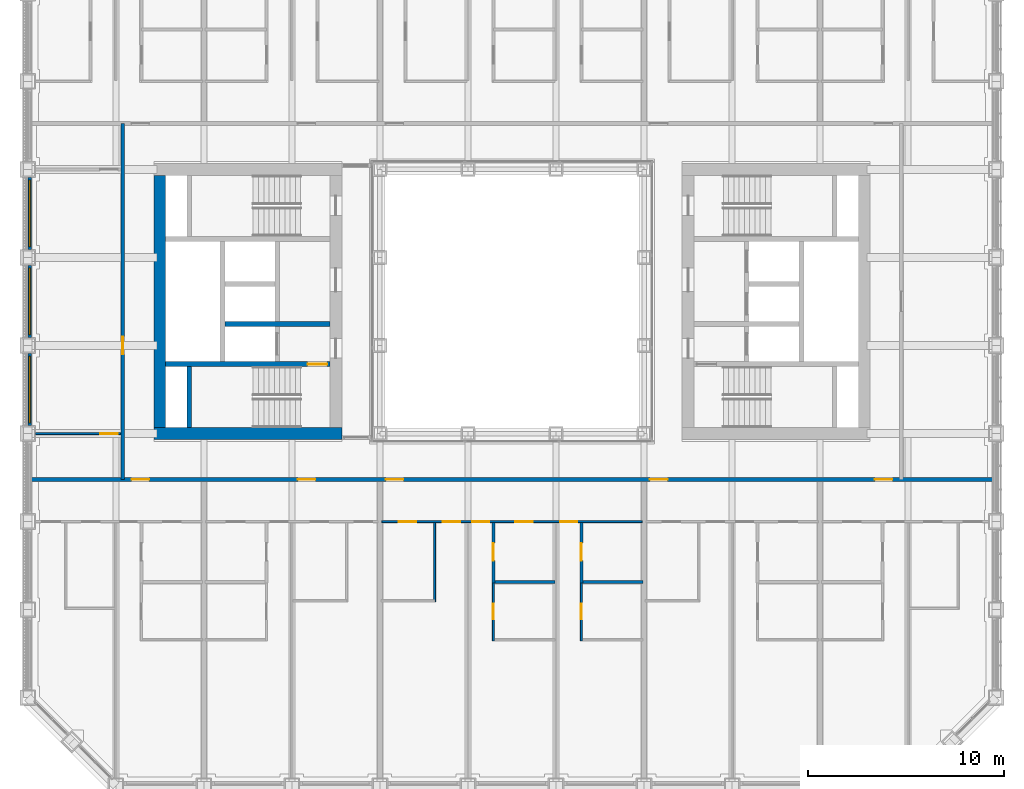
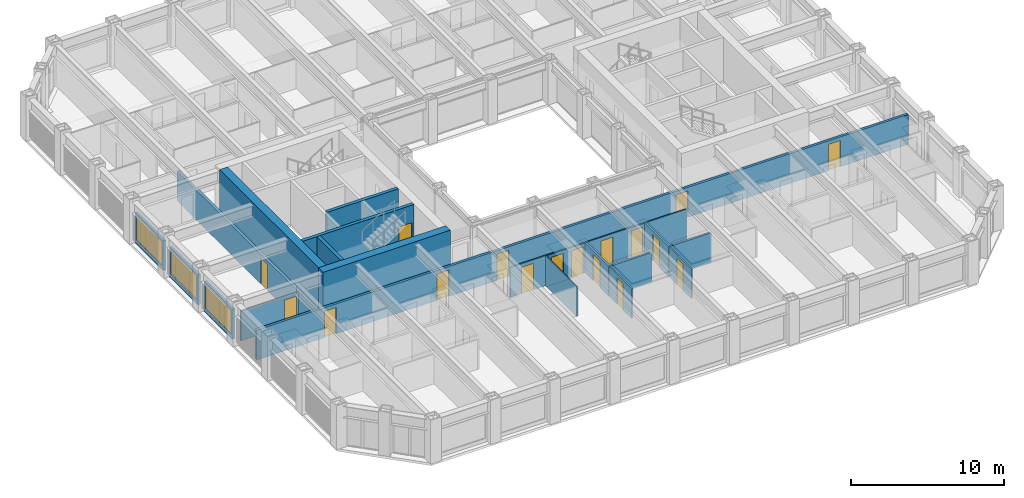
# One storey, part 10 of 21: 19 walls, 17 doors, 3 windows, 20 openings.
"""IFC4 building model written with IfcOpenShell, lengths in metres."""

from ifc_helpers import new_model, si_unit, direction, frame, frame_2d, origin, place, context, subcontext, project, spatial, rectangle, extrude, material, layer, layer_set, type_object, element, fill, save


model = new_model("IFC4")

# Units and contexts
model_context = context("Model", 3, precision=1e-05, world=origin(), true_north=direction((0.0, 1.0)))
body_context = subcontext(model_context, "Body", "Model", "MODEL_VIEW")
ifc_project = project(units=[si_unit("LENGTHUNIT", "METRE"), si_unit("AREAUNIT", "SQUARE_METRE"), si_unit("VOLUMEUNIT", "CUBIC_METRE"), si_unit("PLANEANGLEUNIT", "RADIAN"), si_unit("MASSUNIT", "GRAM", prefix="KILO")], contexts=[model_context])

# Site, building, storey
site_placement = place(None, origin())
site = spatial("IfcSite", under=ifc_project, at=site_placement, CompositionType="ELEMENT")
building_placement = place(site_placement, origin())
building = spatial("IfcBuilding", under=site, at=building_placement, Name="Msasa Ring Tower", CompositionType="ELEMENT")
storey_placement = place(building_placement, frame((0.0, 0.0, 47.5)))
storey = spatial("IfcBuildingStorey", under=building, at=storey_placement, Name="L11", CompositionType="ELEMENT", Elevation=47.5)

# Walls
ifc_material_1 = material(Name="Concrete C60/75", Category="concrete")
ifc_layer_1 = layer(ifc_material_1, 0.60009765625)
ifc_layer_set_1 = layer_set([ifc_layer_1], Name="CW1 CORE WALL 600")
wall_type_1 = type_object("IfcWallType", Name="CW1 CORE WALL 600", PredefinedType="SHEAR", material=ifc_layer_set_1)
wall_1_placement = place(storey_placement, frame((-8.699951171875, -6.75, 0.0), z_axis=(0.0, 0.0, 1.0), x_axis=(-1.0, 0.0, 0.0)))
element("IfcWall", 1, at=wall_1_placement, inside=storey, type_object=wall_type_1, Name="W core wall S L11", PredefinedType="SHEAR", context=body_context, shape_type="SweptSolid", body=[
    extrude(rectangle(XDim=9.60009765625, YDim=0.60009765625, at=frame_2d((4.800048828125, 0.0))), origin(), (0.0, 0.0, 1.0), 3.5),
])
wall_2_placement = place(storey_placement, frame((-18.0, -6.449951171875, 0.0), z_axis=(0.0, 0.0, 1.0), x_axis=(0.0, 1.0, 0.0)))
element("IfcWall", 2, at=wall_2_placement, inside=storey, type_object=wall_type_1, Name="W core wall E L11", PredefinedType="SHEAR", context=body_context, shape_type="SweptSolid", body=[
    extrude(rectangle(XDim=12.89990234375, YDim=0.60009765625, at=frame_2d((6.449951171875, 0.0))), origin(), (0.0, 0.0, 1.0), 3.5),
])

# Wall, opening, door
ifc_material_2 = material(Name="Concrete C60/75", Category="concrete")
ifc_layer_2 = layer(ifc_material_2, 0.25)
ifc_layer_set_2 = layer_set([ifc_layer_2], Name="CW4 CORE INNER WALL 250")
wall_type_2 = type_object("IfcWallType", Name="CW4 CORE INNER WALL 250", PredefinedType="SHEAR", material=ifc_layer_set_2)
wall_3_placement = place(storey_placement, frame((-9.300048828125, -3.199951171875, 0.0), z_axis=(0.0, 0.0, 1.0), x_axis=(-1.0, 0.0, 0.0)))
wall_3 = element("IfcWall", 3, at=wall_3_placement, inside=storey, type_object=wall_type_2, Name="W core wall STAIRA L11", PredefinedType="SHEAR", context=body_context, shape_type="SweptSolid", body=[
    extrude(rectangle(XDim=8.39990234375, YDim=0.25, at=frame_2d((4.199951171875, 0.0))), origin(), (0.0, 0.0, 1.0), 3.5),
])
opening_1_placement = place(wall_3_placement, frame((0.14990234375, 0.0, 0.0)))
opening_1 = element("IfcOpeningElement", 4, at=opening_1_placement, cuts=wall_3, Name="Opening RC-044", PredefinedType="OPENING", context=body_context, shape_type="SweptSolid", body=[
    extrude(rectangle(XDim=1.0, YDim=2.10009765625, at=frame_2d((0.5, 1.050048828125))), frame((0.0, 0.135009765625, 0.0), z_axis=(0.0, -1.0, 0.0), x_axis=(1.0, 0.0, 0.0)), (0.0, 0.0, 1.0), 0.27001953125),
])
ifc_material_3 = material(Name="Timber door leaf in a steel frame", Category="steel")
door_type_1 = type_object("IfcDoorType", Name="D6 STAIR DOOR 1000x2100", OperationType="SINGLE_SWING_LEFT", PredefinedType="DOOR", material=ifc_material_3)
door_1_placement = place(opening_1_placement, origin())
door_1 = element("IfcDoor", 5, at=door_1_placement, inside=storey, type_object=door_type_1, Name="Door L11-WSTA", OperationType="SINGLE_SWING_LEFT", OverallHeight=2.10009765625, OverallWidth=1.0, PredefinedType="DOOR", context=body_context, shape_type="SweptSolid", body=[
    extrude(rectangle(XDim=1.0, YDim=2.10009765625, at=frame_2d((0.5, 1.050048828125))), frame((0.0, 0.02490234375, 0.0), z_axis=(0.0, -1.0, 0.0), x_axis=(1.0, 0.0, 0.0)), (0.0, 0.0, 1.0), 0.050048828125),
])
fill(opening_1, door_1)

# Walls
wall_4_placement = place(storey_placement, frame((-16.5, -6.449951171875, 0.0), z_axis=(0.0, 0.0, 1.0), x_axis=(0.0, 1.0, 0.0)))
element("IfcWall", 6, at=wall_4_placement, inside=storey, type_object=wall_type_2, Name="W core wall RISERA L11", PredefinedType="SHEAR", context=body_context, shape_type="SweptSolid", body=[
    extrude(rectangle(XDim=3.125, YDim=0.25, at=frame_2d((1.5625, 0.0))), origin(), (0.0, 0.0, 1.0), 3.5),
])
wall_5_placement = place(storey_placement, frame((-9.300048828125, -1.14990234375, 0.0), z_axis=(0.0, 0.0, 1.0), x_axis=(-1.0, 0.0, 0.0)))
element("IfcWall", 7, at=wall_5_placement, inside=storey, type_object=wall_type_2, Name="W core wall FFL L11", PredefinedType="SHEAR", context=body_context, shape_type="SweptSolid", body=[
    extrude(rectangle(XDim=5.375, YDim=0.25, at=frame_2d((2.6875, 0.0))), origin(), (0.0, 0.0, 1.0), 3.5),
])

# Wall, opening, window
ifc_material_4 = material(Name="Terracotta rainscreen on blockwork", Category="masonry")
ifc_layer_3 = layer(ifc_material_4, 0.199951171875)
ifc_layer_set_3 = layer_set([ifc_layer_3], Name="FW1 TERRACOTTA-LINED INFILL BAY WALL 200")
wall_type_3 = type_object("IfcWallType", Name="FW1 TERRACOTTA-LINED INFILL BAY WALL 200", PredefinedType="SOLIDWALL", material=ifc_layer_set_3)
wall_6_placement = place(storey_placement, frame((-24.64990234375, -6.344970703125, 0.0), z_axis=(0.0, 0.0, 1.0), x_axis=(0.0, 1.0, 0.0)))
wall_6 = element("IfcWall", 8, at=wall_6_placement, inside=storey, type_object=wall_type_3, Name="Infill bay wall W L11 36", PredefinedType="SOLIDWALL", context=body_context, shape_type="SweptSolid", body=[
    extrude(rectangle(XDim=3.68994140625, YDim=0.199951171875, at=frame_2d((1.844970703125, 0.0))), origin(), (0.0, 0.0, 1.0), 2.37890625),
])
opening_2_placement = place(wall_6_placement, frame((0.14501953125, 0.0, 0.300048828125)))
opening_2 = element("IfcOpeningElement", 9, at=opening_2_placement, cuts=wall_6, Name="Opening WN1", PredefinedType="OPENING", context=body_context, shape_type="SweptSolid", body=[
    extrude(rectangle(XDim=3.39990234375, YDim=1.928955078125, at=frame_2d((1.699951171875, 0.96435546875))), frame((0.0, 0.10986328125, 0.0), z_axis=(0.0, -1.0, 0.0), x_axis=(1.0, 0.0, 0.0)), (0.0, 0.0, 1.0), 0.219970703125),
])
ifc_material_5 = material(Name="Aluminium frame with clear glass", Category="aluminium")
window_type = type_object("IfcWindowType", Name="WN1 RESIDENCE WINDOW 3400x1929", PartitioningType="SINGLE_PANEL", PredefinedType="WINDOW", material=ifc_material_5)
window_1_placement = place(opening_2_placement, origin())
window_1 = element("IfcWindow", 10, at=window_1_placement, inside=storey, type_object=window_type, Name="Window W L11 36", OverallHeight=1.928955078125, OverallWidth=3.39990234375, PartitioningType="SINGLE_PANEL", PredefinedType="WINDOW", context=body_context, shape_type="SweptSolid", body=[
    extrude(rectangle(XDim=3.39990234375, YDim=1.928955078125, at=frame_2d((1.699951171875, 0.96435546875))), frame((0.0, 0.030029296875, 0.0), z_axis=(0.0, -1.0, 0.0), x_axis=(1.0, 0.0, 0.0)), (0.0, 0.0, 1.0), 0.06005859375),
])
fill(opening_2, window_1)

wall_7_placement = place(storey_placement, frame((-24.64990234375, -1.844970703125, 0.0), z_axis=(0.0, 0.0, 1.0), x_axis=(0.0, 1.0, 0.0)))
wall_7 = element("IfcWall", 11, at=wall_7_placement, inside=storey, type_object=wall_type_3, Name="Infill bay wall W L11 37", PredefinedType="SOLIDWALL", context=body_context, shape_type="SweptSolid", body=[
    extrude(rectangle(XDim=3.68994140625, YDim=0.199951171875, at=frame_2d((1.844970703125, 0.0))), origin(), (0.0, 0.0, 1.0), 2.37890625),
])
opening_3_placement = place(wall_7_placement, frame((0.14501953125, 0.0, 0.300048828125)))
opening_3 = element("IfcOpeningElement", 12, at=opening_3_placement, cuts=wall_7, Name="Opening WN1", PredefinedType="OPENING", context=body_context, shape_type="SweptSolid", body=[
    extrude(rectangle(XDim=3.39990234375, YDim=1.928955078125, at=frame_2d((1.699951171875, 0.96435546875))), frame((0.0, 0.10986328125, 0.0), z_axis=(0.0, -1.0, 0.0), x_axis=(1.0, 0.0, 0.0)), (0.0, 0.0, 1.0), 0.219970703125),
])
window_2_placement = place(opening_3_placement, origin())
window_2 = element("IfcWindow", 13, at=window_2_placement, inside=storey, type_object=window_type, Name="Window W L11 37", OverallHeight=1.928955078125, OverallWidth=3.39990234375, PartitioningType="SINGLE_PANEL", PredefinedType="WINDOW", context=body_context, shape_type="SweptSolid", body=[
    extrude(rectangle(XDim=3.39990234375, YDim=1.928955078125, at=frame_2d((1.699951171875, 0.96435546875))), frame((0.0, 0.030029296875, 0.0), z_axis=(0.0, -1.0, 0.0), x_axis=(1.0, 0.0, 0.0)), (0.0, 0.0, 1.0), 0.06005859375),
])
fill(opening_3, window_2)

wall_8_placement = place(storey_placement, frame((-24.64990234375, 2.655029296875, 0.0), z_axis=(0.0, 0.0, 1.0), x_axis=(0.0, 1.0, 0.0)))
wall_8 = element("IfcWall", 14, at=wall_8_placement, inside=storey, type_object=wall_type_3, Name="Infill bay wall W L11 38", PredefinedType="SOLIDWALL", context=body_context, shape_type="SweptSolid", body=[
    extrude(rectangle(XDim=3.68994140625, YDim=0.199951171875, at=frame_2d((1.844970703125, 0.0))), origin(), (0.0, 0.0, 1.0), 2.37890625),
])
opening_4_placement = place(wall_8_placement, frame((0.14501953125, 0.0, 0.300048828125)))
opening_4 = element("IfcOpeningElement", 15, at=opening_4_placement, cuts=wall_8, Name="Opening WN1", PredefinedType="OPENING", context=body_context, shape_type="SweptSolid", body=[
    extrude(rectangle(XDim=3.39990234375, YDim=1.928955078125, at=frame_2d((1.699951171875, 0.96435546875))), frame((0.0, 0.10986328125, 0.0), z_axis=(0.0, -1.0, 0.0), x_axis=(1.0, 0.0, 0.0)), (0.0, 0.0, 1.0), 0.219970703125),
])
window_3_placement = place(opening_4_placement, origin())
window_3 = element("IfcWindow", 16, at=window_3_placement, inside=storey, type_object=window_type, Name="Window W L11 38", OverallHeight=1.928955078125, OverallWidth=3.39990234375, PartitioningType="SINGLE_PANEL", PredefinedType="WINDOW", context=body_context, shape_type="SweptSolid", body=[
    extrude(rectangle(XDim=3.39990234375, YDim=1.928955078125, at=frame_2d((1.699951171875, 0.96435546875))), frame((0.0, 0.030029296875, 0.0), z_axis=(0.0, -1.0, 0.0), x_axis=(1.0, 0.0, 0.0)), (0.0, 0.0, 1.0), 0.06005859375),
])
fill(opening_4, window_3)

# Wall, openings, doors
ifc_material_6 = material(Name="Concrete blockwork", Category="masonry")
ifc_layer_4 = layer(ifc_material_6, 0.199951171875)
ifc_layer_set_4 = layer_set([ifc_layer_4], Name="PT1 CORRIDOR WALL 200")
wall_type_4 = type_object("IfcWallType", Name="PT1 CORRIDOR WALL 200", PredefinedType="PARTITIONING", material=ifc_layer_set_4)
wall_9_placement = place(storey_placement, frame((-24.550048828125, -9.10009765625, 0.0), z_axis=(0.0, 0.0, 1.0), x_axis=(1.0, 0.0, 0.0)))
wall_9 = element("IfcWall", 17, at=wall_9_placement, inside=storey, type_object=wall_type_4, Name="Corridor wall L11-CORRS0", PredefinedType="PARTITIONING", context=body_context, shape_type="SweptSolid", body=[
    extrude(rectangle(XDim=49.10009765625, YDim=0.199951171875, at=frame_2d((24.550048828125, 0.0))), origin(), (0.0, 0.0, 1.0), 2.373291015625),
])
opening_5_placement = place(wall_9_placement, frame((5.10009765625, 0.0, 0.0)))
opening_5 = element("IfcOpeningElement", 18, at=opening_5_placement, cuts=wall_9, Name="Opening RC-048", PredefinedType="OPENING", context=body_context, shape_type="SweptSolid", body=[
    extrude(rectangle(XDim=0.89990234375, YDim=2.10009765625, at=frame_2d((0.449951171875, 1.050048828125))), frame((0.0, 0.10986328125, 0.0), z_axis=(0.0, -1.0, 0.0), x_axis=(1.0, 0.0, 0.0)), (0.0, 0.0, 1.0), 0.219970703125),
])
opening_6_placement = place(wall_9_placement, frame((13.60009765625, 0.0, 0.0)))
opening_6 = element("IfcOpeningElement", 19, at=opening_6_placement, cuts=wall_9, Name="Opening RC-049", PredefinedType="OPENING", context=body_context, shape_type="SweptSolid", body=[
    extrude(rectangle(XDim=0.89990234375, YDim=2.10009765625, at=frame_2d((0.449951171875, 1.050048828125))), frame((0.0, 0.10986328125, 0.0), z_axis=(0.0, -1.0, 0.0), x_axis=(1.0, 0.0, 0.0)), (0.0, 0.0, 1.0), 0.219970703125),
])
opening_7_placement = place(wall_9_placement, frame((18.10009765625, 0.0, 0.0)))
opening_7 = element("IfcOpeningElement", 20, at=opening_7_placement, cuts=wall_9, Name="Opening RC-050", PredefinedType="OPENING", context=body_context, shape_type="SweptSolid", body=[
    extrude(rectangle(XDim=0.89990234375, YDim=2.10009765625, at=frame_2d((0.449951171875, 1.050048828125))), frame((0.0, 0.10986328125, 0.0), z_axis=(0.0, -1.0, 0.0), x_axis=(1.0, 0.0, 0.0)), (0.0, 0.0, 1.0), 0.219970703125),
])
opening_8_placement = place(wall_9_placement, frame((31.60009765625, 0.0, 0.0)))
opening_8 = element("IfcOpeningElement", 21, at=opening_8_placement, cuts=wall_9, Name="Opening RC-051", PredefinedType="OPENING", context=body_context, shape_type="SweptSolid", body=[
    extrude(rectangle(XDim=0.89990234375, YDim=2.10009765625, at=frame_2d((0.449951171875, 1.050048828125))), frame((0.0, 0.10986328125, 0.0), z_axis=(0.0, -1.0, 0.0), x_axis=(1.0, 0.0, 0.0)), (0.0, 0.0, 1.0), 0.219970703125),
])
opening_9_placement = place(wall_9_placement, frame((43.10009765625, 0.0, 0.0)))
opening_9 = element("IfcOpeningElement", 22, at=opening_9_placement, cuts=wall_9, Name="Opening RC-052", PredefinedType="OPENING", context=body_context, shape_type="SweptSolid", body=[
    extrude(rectangle(XDim=0.89990234375, YDim=2.10009765625, at=frame_2d((0.449951171875, 1.050048828125))), frame((0.0, 0.10986328125, 0.0), z_axis=(0.0, -1.0, 0.0), x_axis=(1.0, 0.0, 0.0)), (0.0, 0.0, 1.0), 0.219970703125),
])
ifc_material_7 = material(Name="Timber door leaf in a steel frame", Category="steel")
door_type_2 = type_object("IfcDoorType", Name="D2 ENTRANCE DOOR 900x2100", OperationType="SINGLE_SWING_LEFT", PredefinedType="DOOR", material=ifc_material_7)
door_2_placement = place(opening_5_placement, origin())
door_2 = element("IfcDoor", 23, at=door_2_placement, inside=storey, type_object=door_type_2, Name="Door L11-US00", OperationType="SINGLE_SWING_LEFT", OverallHeight=2.10009765625, OverallWidth=0.89990234375, PredefinedType="DOOR", context=body_context, shape_type="SweptSolid", body=[
    extrude(rectangle(XDim=0.89990234375, YDim=2.10009765625, at=frame_2d((0.449951171875, 1.050048828125))), frame((0.0, 0.02490234375, 0.0), z_axis=(0.0, -1.0, 0.0), x_axis=(1.0, 0.0, 0.0)), (0.0, 0.0, 1.0), 0.050048828125),
])
fill(opening_5, door_2)
door_3_placement = place(opening_6_placement, origin())
door_3 = element("IfcDoor", 24, at=door_3_placement, inside=storey, type_object=door_type_2, Name="Door L11-US01", OperationType="SINGLE_SWING_LEFT", OverallHeight=2.10009765625, OverallWidth=0.89990234375, PredefinedType="DOOR", context=body_context, shape_type="SweptSolid", body=[
    extrude(rectangle(XDim=0.89990234375, YDim=2.10009765625, at=frame_2d((0.449951171875, 1.050048828125))), frame((0.0, 0.02490234375, 0.0), z_axis=(0.0, -1.0, 0.0), x_axis=(1.0, 0.0, 0.0)), (0.0, 0.0, 1.0), 0.050048828125),
])
fill(opening_6, door_3)
door_4_placement = place(opening_7_placement, origin())
door_4 = element("IfcDoor", 25, at=door_4_placement, inside=storey, type_object=door_type_2, Name="Door L11-US02", OperationType="SINGLE_SWING_LEFT", OverallHeight=2.10009765625, OverallWidth=0.89990234375, PredefinedType="DOOR", context=body_context, shape_type="SweptSolid", body=[
    extrude(rectangle(XDim=0.89990234375, YDim=2.10009765625, at=frame_2d((0.449951171875, 1.050048828125))), frame((0.0, 0.02490234375, 0.0), z_axis=(0.0, -1.0, 0.0), x_axis=(1.0, 0.0, 0.0)), (0.0, 0.0, 1.0), 0.050048828125),
])
fill(opening_7, door_4)
door_5_placement = place(opening_8_placement, origin())
door_5 = element("IfcDoor", 26, at=door_5_placement, inside=storey, type_object=door_type_2, Name="Door L11-US03", OperationType="SINGLE_SWING_RIGHT", OverallHeight=2.10009765625, OverallWidth=0.89990234375, PredefinedType="DOOR", context=body_context, shape_type="SweptSolid", body=[
    extrude(rectangle(XDim=0.89990234375, YDim=2.10009765625, at=frame_2d((0.449951171875, 1.050048828125))), frame((0.0, 0.02490234375, 0.0), z_axis=(0.0, -1.0, 0.0), x_axis=(1.0, 0.0, 0.0)), (0.0, 0.0, 1.0), 0.050048828125),
])
fill(opening_8, door_5)
door_6_placement = place(opening_9_placement, origin())
door_6 = element("IfcDoor", 27, at=door_6_placement, inside=storey, type_object=door_type_2, Name="Door L11-US04", OperationType="SINGLE_SWING_RIGHT", OverallHeight=2.10009765625, OverallWidth=0.89990234375, PredefinedType="DOOR", context=body_context, shape_type="SweptSolid", body=[
    extrude(rectangle(XDim=0.89990234375, YDim=2.10009765625, at=frame_2d((0.449951171875, 1.050048828125))), frame((0.0, 0.02490234375, 0.0), z_axis=(0.0, -1.0, 0.0), x_axis=(1.0, 0.0, 0.0)), (0.0, 0.0, 1.0), 0.050048828125),
])
fill(opening_9, door_6)

# Wall, opening, door
wall_10_placement = place(storey_placement, frame((-19.89990234375, -9.10009765625, 0.0), z_axis=(0.0, 0.0, 1.0), x_axis=(0.0, 1.0, 0.0)))
wall_10 = element("IfcWall", 28, at=wall_10_placement, inside=storey, type_object=wall_type_4, Name="Corridor wall L11-STRW", PredefinedType="PARTITIONING", context=body_context, shape_type="SweptSolid", body=[
    extrude(rectangle(XDim=18.2001953125, YDim=0.199951171875, at=frame_2d((9.10009765625, 0.0))), origin(), (0.0, 0.0, 1.0), 2.373291015625),
])
opening_10_placement = place(wall_10_placement, frame((6.39990234375, 0.0, 0.0)))
opening_10 = element("IfcOpeningElement", 29, at=opening_10_placement, cuts=wall_10, Name="Opening RC-041", PredefinedType="OPENING", context=body_context, shape_type="SweptSolid", body=[
    extrude(rectangle(XDim=0.89990234375, YDim=2.10009765625, at=frame_2d((0.449951171875, 1.050048828125))), frame((0.0, 0.10986328125, 0.0), z_axis=(0.0, -1.0, 0.0), x_axis=(1.0, 0.0, 0.0)), (0.0, 0.0, 1.0), 0.219970703125),
])
door_7_placement = place(opening_10_placement, origin())
door_7 = element("IfcDoor", 30, at=door_7_placement, inside=storey, type_object=door_type_2, Name="Door L11-STW", OperationType="SINGLE_SWING_LEFT", OverallHeight=2.10009765625, OverallWidth=0.89990234375, PredefinedType="DOOR", context=body_context, shape_type="SweptSolid", body=[
    extrude(rectangle(XDim=0.89990234375, YDim=2.10009765625, at=frame_2d((0.449951171875, 1.050048828125))), frame((0.0, 0.02490234375, 0.0), z_axis=(0.0, -1.0, 0.0), x_axis=(1.0, 0.0, 0.0)), (0.0, 0.0, 1.0), 0.050048828125),
])
fill(opening_10, door_7)

# Wall, openings, doors
ifc_material_8 = material(Name="Gypsum board on steel studs", Category="steel")
ifc_layer_5 = layer(ifc_material_8, 0.10009765625)
ifc_layer_set_5 = layer_set([ifc_layer_5], Name="PT2 STUD PARTITION 100")
wall_type_5 = type_object("IfcWallType", Name="PT2 STUD PARTITION 100", PredefinedType="PARTITIONING", material=ifc_layer_set_5)
wall_11_placement = place(storey_placement, frame((-6.64990234375, -11.25, 0.0), z_axis=(0.0, 0.0, 1.0), x_axis=(1.0, 0.0, 0.0)))
wall_11 = element("IfcWall", 31, at=wall_11_placement, inside=storey, type_object=wall_type_5, Name="Partition L11-US02HY", PredefinedType="PARTITIONING", context=body_context, shape_type="SweptSolid", body=[
    extrude(rectangle(XDim=13.2998046875, YDim=0.10009765625, at=frame_2d((6.64990234375, 0.0))), origin(), (0.0, 0.0, 1.0), 2.373291015625),
])
opening_11_placement = place(wall_11_placement, frame((0.85009765625, 0.0, 0.0)))
opening_11 = element("IfcOpeningElement", 32, at=opening_11_placement, cuts=wall_11, Name="Opening RC-061", PredefinedType="OPENING", context=body_context, shape_type="SweptSolid", body=[
    extrude(rectangle(XDim=0.89990234375, YDim=2.10009765625, at=frame_2d((0.449951171875, 1.050048828125))), frame((0.0, 0.06005859375, 0.0), z_axis=(0.0, -1.0, 0.0), x_axis=(1.0, 0.0, 0.0)), (0.0, 0.0, 1.0), 0.1201171875),
])
opening_12_placement = place(wall_11_placement, frame((3.10009765625, 0.0, 0.0)))
opening_12 = element("IfcOpeningElement", 33, at=opening_12_placement, cuts=wall_11, Name="Opening RC-062", PredefinedType="OPENING", context=body_context, shape_type="SweptSolid", body=[
    extrude(rectangle(XDim=0.89990234375, YDim=2.10009765625, at=frame_2d((0.449951171875, 1.050048828125))), frame((0.0, 0.06005859375, 0.0), z_axis=(0.0, -1.0, 0.0), x_axis=(1.0, 0.0, 0.0)), (0.0, 0.0, 1.0), 0.1201171875),
])
opening_13_placement = place(wall_11_placement, frame((4.625, 0.0, 0.0)))
opening_13 = element("IfcOpeningElement", 34, at=opening_13_placement, cuts=wall_11, Name="Opening RC-063", PredefinedType="OPENING", context=body_context, shape_type="SweptSolid", body=[
    extrude(rectangle(XDim=0.85009765625, YDim=2.10009765625, at=frame_2d((0.425048828125, 1.050048828125))), frame((0.0, 0.06005859375, 0.0), z_axis=(0.0, -1.0, 0.0), x_axis=(1.0, 0.0, 0.0)), (0.0, 0.0, 1.0), 0.1201171875),
])
opening_14_placement = place(wall_11_placement, frame((6.820068359375, 0.0, 0.0)))
opening_14 = element("IfcOpeningElement", 35, at=opening_14_placement, cuts=wall_11, Name="Opening RC-064", PredefinedType="OPENING", context=body_context, shape_type="SweptSolid", body=[
    extrude(rectangle(XDim=0.89990234375, YDim=2.10009765625, at=frame_2d((0.449951171875, 1.050048828125))), frame((0.0, 0.06005859375, 0.0), z_axis=(0.0, -1.0, 0.0), x_axis=(1.0, 0.0, 0.0)), (0.0, 0.0, 1.0), 0.1201171875),
])
opening_15_placement = place(wall_11_placement, frame((9.125, 0.0, 0.0)))
opening_15 = element("IfcOpeningElement", 36, at=opening_15_placement, cuts=wall_11, Name="Opening RC-065", PredefinedType="OPENING", context=body_context, shape_type="SweptSolid", body=[
    extrude(rectangle(XDim=0.85009765625, YDim=2.10009765625, at=frame_2d((0.425048828125, 1.050048828125))), frame((0.0, 0.06005859375, 0.0), z_axis=(0.0, -1.0, 0.0), x_axis=(1.0, 0.0, 0.0)), (0.0, 0.0, 1.0), 0.1201171875),
])
ifc_material_9 = material(Name="Timber door leaf in a steel frame", Category="steel")
door_type_3 = type_object("IfcDoorType", Name="D14 BEDROOM DOOR 850x2100", OperationType="SINGLE_SWING_LEFT", PredefinedType="DOOR", material=ifc_material_9)
door_8_placement = place(opening_13_placement, origin())
door_8 = element("IfcDoor", 37, at=door_8_placement, inside=storey, type_object=door_type_3, Name="Door L11-US02R1", OperationType="SINGLE_SWING_LEFT", OverallHeight=2.10009765625, OverallWidth=0.85009765625, PredefinedType="DOOR", context=body_context, shape_type="SweptSolid", body=[
    extrude(rectangle(XDim=0.85009765625, YDim=2.10009765625, at=frame_2d((0.425048828125, 1.050048828125))), frame((0.0, 0.02490234375, 0.0), z_axis=(0.0, -1.0, 0.0), x_axis=(1.0, 0.0, 0.0)), (0.0, 0.0, 1.0), 0.050048828125),
])
fill(opening_13, door_8)
door_9_placement = place(opening_15_placement, origin())
door_9 = element("IfcDoor", 38, at=door_9_placement, inside=storey, type_object=door_type_3, Name="Door L11-US02R2", OperationType="SINGLE_SWING_RIGHT", OverallHeight=2.10009765625, OverallWidth=0.85009765625, PredefinedType="DOOR", context=body_context, shape_type="SweptSolid", body=[
    extrude(rectangle(XDim=0.85009765625, YDim=2.10009765625, at=frame_2d((0.425048828125, 1.050048828125))), frame((0.0, 0.02490234375, 0.0), z_axis=(0.0, -1.0, 0.0), x_axis=(1.0, 0.0, 0.0)), (0.0, 0.0, 1.0), 0.050048828125),
])
fill(opening_15, door_9)
ifc_material_10 = material(Name="Timber door leaf in a steel frame", Category="steel")
door_type_4 = type_object("IfcDoorType", Name="D22 INTERNAL HALL DOOR 900x2100", OperationType="SINGLE_SWING_LEFT", PredefinedType="DOOR", material=ifc_material_10)
door_10_placement = place(opening_11_placement, origin())
door_10 = element("IfcDoor", 39, at=door_10_placement, inside=storey, type_object=door_type_4, Name="Door L11-US02K", OperationType="SINGLE_SWING_LEFT", OverallHeight=2.10009765625, OverallWidth=0.89990234375, PredefinedType="DOOR", context=body_context, shape_type="SweptSolid", body=[
    extrude(rectangle(XDim=0.89990234375, YDim=2.10009765625, at=frame_2d((0.449951171875, 1.050048828125))), frame((0.0, 0.02490234375, 0.0), z_axis=(0.0, -1.0, 0.0), x_axis=(1.0, 0.0, 0.0)), (0.0, 0.0, 1.0), 0.050048828125),
])
fill(opening_11, door_10)
door_11_placement = place(opening_12_placement, origin())
door_11 = element("IfcDoor", 40, at=door_11_placement, inside=storey, type_object=door_type_4, Name="Door L11-US02L", OperationType="SINGLE_SWING_LEFT", OverallHeight=2.10009765625, OverallWidth=0.89990234375, PredefinedType="DOOR", context=body_context, shape_type="SweptSolid", body=[
    extrude(rectangle(XDim=0.89990234375, YDim=2.10009765625, at=frame_2d((0.449951171875, 1.050048828125))), frame((0.0, 0.02490234375, 0.0), z_axis=(0.0, -1.0, 0.0), x_axis=(1.0, 0.0, 0.0)), (0.0, 0.0, 1.0), 0.050048828125),
])
fill(opening_12, door_11)
ifc_material_11 = material(Name="Timber door leaf in a steel frame", Category="steel")
door_type_5 = type_object("IfcDoorType", Name="D3 BATHROOM DOOR 900x2100", OperationType="SINGLE_SWING_LEFT", PredefinedType="DOOR", material=ifc_material_11)
door_12_placement = place(opening_14_placement, origin())
door_12 = element("IfcDoor", 41, at=door_12_placement, inside=storey, type_object=door_type_5, Name="Door L11-US02BH1", OperationType="SINGLE_SWING_RIGHT", OverallHeight=2.10009765625, OverallWidth=0.89990234375, PredefinedType="DOOR", context=body_context, shape_type="SweptSolid", body=[
    extrude(rectangle(XDim=0.89990234375, YDim=2.10009765625, at=frame_2d((0.449951171875, 1.050048828125))), frame((0.0, 0.02490234375, 0.0), z_axis=(0.0, -1.0, 0.0), x_axis=(1.0, 0.0, 0.0)), (0.0, 0.0, 1.0), 0.050048828125),
])
fill(opening_14, door_12)

# Wall
wall_12_placement = place(storey_placement, frame((-3.949951171875, -15.35009765625, 0.0), z_axis=(0.0, 0.0, 1.0), x_axis=(0.0, 1.0, 0.0)))
element("IfcWall", 42, at=wall_12_placement, inside=storey, type_object=wall_type_5, Name="Partition L11-US02KX", PredefinedType="PARTITIONING", context=body_context, shape_type="SweptSolid", body=[
    extrude(rectangle(XDim=4.050048828125, YDim=0.10009765625, at=frame_2d((2.02490234375, 0.0))), origin(), (0.0, 0.0, 1.0), 2.373291015625),
])

# Wall, opening, door
wall_13_placement = place(storey_placement, frame((-0.949951171875, -17.343505859375, 0.0), z_axis=(0.0, 0.0, 1.0), x_axis=(0.0, 1.0, 0.0)))
wall_13 = element("IfcWall", 43, at=wall_13_placement, inside=storey, type_object=wall_type_5, Name="Partition L11-US02WX1", PredefinedType="PARTITIONING", context=body_context, shape_type="SweptSolid", body=[
    extrude(rectangle(XDim=2.943603515625, YDim=0.10009765625, at=frame_2d((1.4716796875, 0.0))), origin(), (0.0, 0.0, 1.0), 2.373291015625),
])
opening_16_placement = place(wall_13_placement, frame((1.0966796875, 0.0, 0.0)))
opening_16 = element("IfcOpeningElement", 44, at=opening_16_placement, cuts=wall_13, Name="Opening RC-082", PredefinedType="OPENING", context=body_context, shape_type="SweptSolid", body=[
    extrude(rectangle(XDim=0.800048828125, YDim=2.10009765625, at=frame_2d((0.39990234375, 1.050048828125))), frame((0.0, 0.06005859375, 0.0), z_axis=(0.0, -1.0, 0.0), x_axis=(1.0, 0.0, 0.0)), (0.0, 0.0, 1.0), 0.1201171875),
])
ifc_material_12 = material(Name="Timber door leaf in a steel frame", Category="steel")
door_type_6 = type_object("IfcDoorType", Name="D60 DRESSING ROOM DOOR 800x2100", OperationType="SINGLE_SWING_LEFT", PredefinedType="DOOR", material=ifc_material_12)
door_13_placement = place(opening_16_placement, origin())
door_13 = element("IfcDoor", 45, at=door_13_placement, inside=storey, type_object=door_type_6, Name="Door L11-US02W1", OperationType="SINGLE_SWING_LEFT", OverallHeight=2.10009765625, OverallWidth=0.800048828125, PredefinedType="DOOR", context=body_context, shape_type="SweptSolid", body=[
    extrude(rectangle(XDim=0.800048828125, YDim=2.10009765625, at=frame_2d((0.39990234375, 1.050048828125))), frame((0.0, 0.02490234375, 0.0), z_axis=(0.0, -1.0, 0.0), x_axis=(1.0, 0.0, 0.0)), (0.0, 0.0, 1.0), 0.050048828125),
])
fill(opening_16, door_13)

wall_14_placement = place(storey_placement, frame((3.550048828125, -17.343505859375, 0.0), z_axis=(0.0, 0.0, 1.0), x_axis=(0.0, 1.0, 0.0)))
wall_14 = element("IfcWall", 46, at=wall_14_placement, inside=storey, type_object=wall_type_5, Name="Partition L11-US02WX2", PredefinedType="PARTITIONING", context=body_context, shape_type="SweptSolid", body=[
    extrude(rectangle(XDim=2.943603515625, YDim=0.10009765625, at=frame_2d((1.4716796875, 0.0))), origin(), (0.0, 0.0, 1.0), 2.373291015625),
])
opening_17_placement = place(wall_14_placement, frame((1.0966796875, 0.0, 0.0)))
opening_17 = element("IfcOpeningElement", 47, at=opening_17_placement, cuts=wall_14, Name="Opening RC-083", PredefinedType="OPENING", context=body_context, shape_type="SweptSolid", body=[
    extrude(rectangle(XDim=0.800048828125, YDim=2.10009765625, at=frame_2d((0.39990234375, 1.050048828125))), frame((0.0, 0.06005859375, 0.0), z_axis=(0.0, -1.0, 0.0), x_axis=(1.0, 0.0, 0.0)), (0.0, 0.0, 1.0), 0.1201171875),
])
door_14_placement = place(opening_17_placement, origin())
door_14 = element("IfcDoor", 48, at=door_14_placement, inside=storey, type_object=door_type_6, Name="Door L11-US02W2", OperationType="SINGLE_SWING_LEFT", OverallHeight=2.10009765625, OverallWidth=0.800048828125, PredefinedType="DOOR", context=body_context, shape_type="SweptSolid", body=[
    extrude(rectangle(XDim=0.800048828125, YDim=2.10009765625, at=frame_2d((0.39990234375, 1.050048828125))), frame((0.0, 0.02490234375, 0.0), z_axis=(0.0, -1.0, 0.0), x_axis=(1.0, 0.0, 0.0)), (0.0, 0.0, 1.0), 0.050048828125),
])
fill(opening_17, door_14)

wall_15_placement = place(storey_placement, frame((-24.35009765625, -6.75, 0.0), z_axis=(0.0, 0.0, 1.0), x_axis=(1.0, 0.0, 0.0)))
wall_15 = element("IfcWall", 49, at=wall_15_placement, inside=storey, type_object=wall_type_5, Name="Partition L11-STWKY", PredefinedType="PARTITIONING", context=body_context, shape_type="SweptSolid", body=[
    extrude(rectangle(XDim=4.35009765625, YDim=0.10009765625, at=frame_2d((2.175048828125, 0.0))), origin(), (0.0, 0.0, 1.0), 2.373291015625),
])
opening_18_placement = place(wall_15_placement, frame((3.300048828125, 0.0, 0.0)))
opening_18 = element("IfcOpeningElement", 50, at=opening_18_placement, cuts=wall_15, Name="Opening RC-046", PredefinedType="OPENING", context=body_context, shape_type="SweptSolid", body=[
    extrude(rectangle(XDim=0.89990234375, YDim=2.10009765625, at=frame_2d((0.449951171875, 1.050048828125))), frame((0.0, 0.06005859375, 0.0), z_axis=(0.0, -1.0, 0.0), x_axis=(1.0, 0.0, 0.0)), (0.0, 0.0, 1.0), 0.1201171875),
])
door_15_placement = place(opening_18_placement, origin())
door_15 = element("IfcDoor", 51, at=door_15_placement, inside=storey, type_object=door_type_4, Name="Door L11-STWK", OperationType="SINGLE_SWING_RIGHT", OverallHeight=2.10009765625, OverallWidth=0.89990234375, PredefinedType="DOOR", context=body_context, shape_type="SweptSolid", body=[
    extrude(rectangle(XDim=0.89990234375, YDim=2.10009765625, at=frame_2d((0.449951171875, 1.050048828125))), frame((0.0, 0.02490234375, 0.0), z_axis=(0.0, -1.0, 0.0), x_axis=(1.0, 0.0, 0.0)), (0.0, 0.0, 1.0), 0.050048828125),
])
fill(opening_18, door_15)

ifc_material_13 = material(Name="Moisture-resistant board on steel studs with a concealed cistern and pipe void, tiled", Category="steel")
ifc_layer_6 = layer(ifc_material_13, 0.14990234375)
ifc_layer_set_6 = layer_set([ifc_layer_6], Name="PT4 BATHROOM WET WALL 150")
wall_type_6 = type_object("IfcWallType", Name="PT4 BATHROOM WET WALL 150", PredefinedType="PARTITIONING", material=ifc_layer_set_6)
wall_16_placement = place(storey_placement, frame((-0.949951171875, -14.39990234375, 0.0), z_axis=(0.0, 0.0, 1.0), x_axis=(0.0, 1.0, 0.0)))
wall_16 = element("IfcWall", 52, at=wall_16_placement, inside=storey, type_object=wall_type_6, Name="Partition L11-US02BX1", PredefinedType="PARTITIONING", context=body_context, shape_type="SweptSolid", body=[
    extrude(rectangle(XDim=3.099853515625, YDim=0.14990234375, at=frame_2d((1.5498046875, 0.0))), origin(), (0.0, 0.0, 1.0), 2.373291015625),
])
opening_19_placement = place(wall_16_placement, frame((1.14990234375, 0.0, 0.0)))
opening_19 = element("IfcOpeningElement", 53, at=opening_19_placement, cuts=wall_16, Name="Opening RC-076", PredefinedType="OPENING", context=body_context, shape_type="SweptSolid", body=[
    extrude(rectangle(XDim=0.89990234375, YDim=2.10009765625, at=frame_2d((0.449951171875, 1.050048828125))), frame((0.0, 0.0849609375, 0.0), z_axis=(0.0, -1.0, 0.0), x_axis=(1.0, 0.0, 0.0)), (0.0, 0.0, 1.0), 0.169921875),
])
door_16_placement = place(opening_19_placement, origin())
door_16 = element("IfcDoor", 54, at=door_16_placement, inside=storey, type_object=door_type_5, Name="Door L11-US02B1", OperationType="SINGLE_SWING_RIGHT", OverallHeight=2.10009765625, OverallWidth=0.89990234375, PredefinedType="DOOR", context=body_context, shape_type="SweptSolid", body=[
    extrude(rectangle(XDim=0.89990234375, YDim=2.10009765625, at=frame_2d((0.449951171875, 1.050048828125))), frame((0.0, 0.02490234375, 0.0), z_axis=(0.0, -1.0, 0.0), x_axis=(1.0, 0.0, 0.0)), (0.0, 0.0, 1.0), 0.050048828125),
])
fill(opening_19, door_16)

# Wall
wall_17_placement = place(storey_placement, frame((-0.949951171875, -14.35009765625, 0.0), z_axis=(0.0, 0.0, 1.0), x_axis=(1.0, 0.0, 0.0)))
element("IfcWall", 55, at=wall_17_placement, inside=storey, type_object=wall_type_6, Name="Partition L11-US02BY1", PredefinedType="PARTITIONING", context=body_context, shape_type="SweptSolid", body=[
    extrude(rectangle(XDim=3.14990234375, YDim=0.14990234375, at=frame_2d((1.574951171875, 0.0))), origin(), (0.0, 0.0, 1.0), 2.373291015625),
])

# Wall, opening, door
wall_18_placement = place(storey_placement, frame((3.550048828125, -14.39990234375, 0.0), z_axis=(0.0, 0.0, 1.0), x_axis=(0.0, 1.0, 0.0)))
wall_18 = element("IfcWall", 56, at=wall_18_placement, inside=storey, type_object=wall_type_6, Name="Partition L11-US02BX2", PredefinedType="PARTITIONING", context=body_context, shape_type="SweptSolid", body=[
    extrude(rectangle(XDim=3.099853515625, YDim=0.14990234375, at=frame_2d((1.5498046875, 0.0))), origin(), (0.0, 0.0, 1.0), 2.373291015625),
])
opening_20_placement = place(wall_18_placement, frame((1.14990234375, 0.0, 0.0)))
opening_20 = element("IfcOpeningElement", 57, at=opening_20_placement, cuts=wall_18, Name="Opening RC-077", PredefinedType="OPENING", context=body_context, shape_type="SweptSolid", body=[
    extrude(rectangle(XDim=0.89990234375, YDim=2.10009765625, at=frame_2d((0.449951171875, 1.050048828125))), frame((0.0, 0.0849609375, 0.0), z_axis=(0.0, -1.0, 0.0), x_axis=(1.0, 0.0, 0.0)), (0.0, 0.0, 1.0), 0.169921875),
])
door_17_placement = place(opening_20_placement, origin())
door_17 = element("IfcDoor", 58, at=door_17_placement, inside=storey, type_object=door_type_5, Name="Door L11-US02B2", OperationType="SINGLE_SWING_RIGHT", OverallHeight=2.10009765625, OverallWidth=0.89990234375, PredefinedType="DOOR", context=body_context, shape_type="SweptSolid", body=[
    extrude(rectangle(XDim=0.89990234375, YDim=2.10009765625, at=frame_2d((0.449951171875, 1.050048828125))), frame((0.0, 0.02490234375, 0.0), z_axis=(0.0, -1.0, 0.0), x_axis=(1.0, 0.0, 0.0)), (0.0, 0.0, 1.0), 0.050048828125),
])
fill(opening_20, door_17)

# Wall
wall_19_placement = place(storey_placement, frame((3.550048828125, -14.35009765625, 0.0), z_axis=(0.0, 0.0, 1.0), x_axis=(1.0, 0.0, 0.0)))
element("IfcWall", 59, at=wall_19_placement, inside=storey, type_object=wall_type_6, Name="Partition L11-US02BY2", PredefinedType="PARTITIONING", context=body_context, shape_type="SweptSolid", body=[
    extrude(rectangle(XDim=3.139892578125, YDim=0.14990234375, at=frame_2d((1.56982421875, 0.0))), origin(), (0.0, 0.0, 1.0), 2.373291015625),
])

save(model, "model.ifc")
